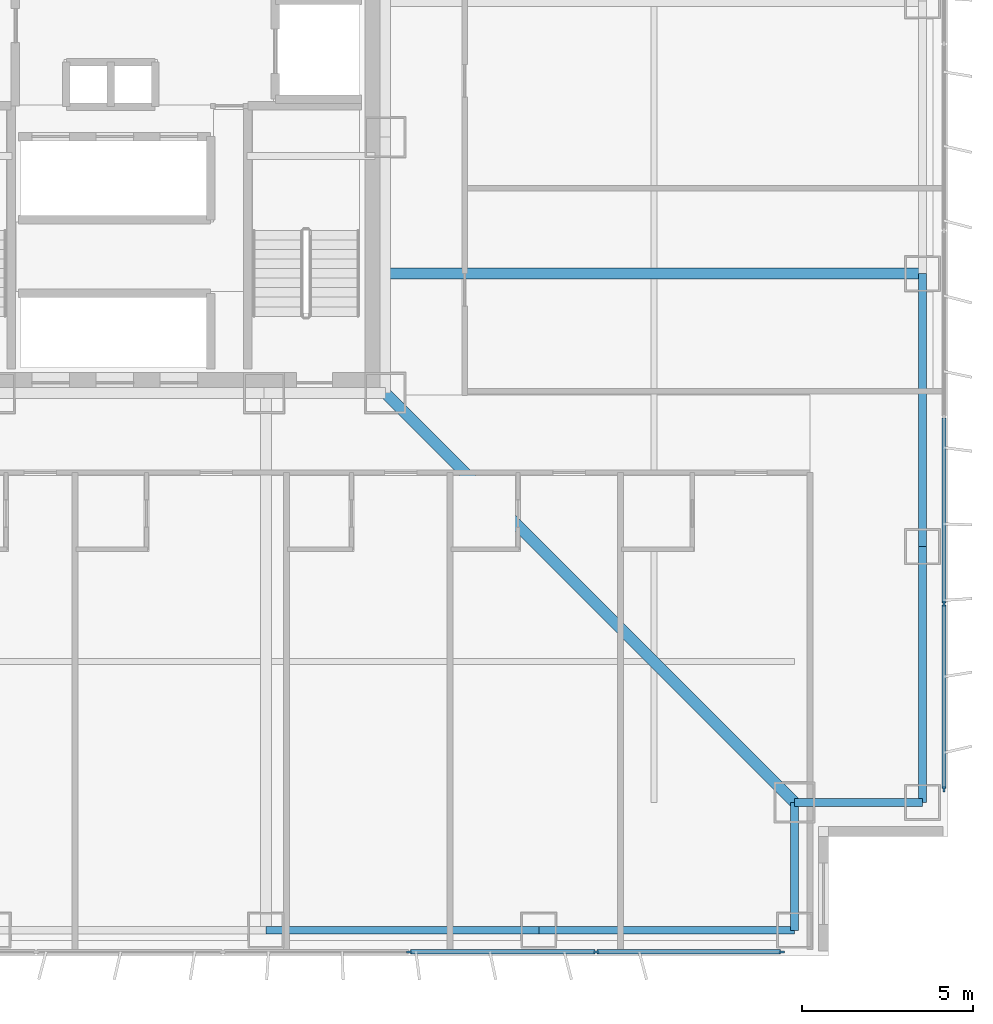
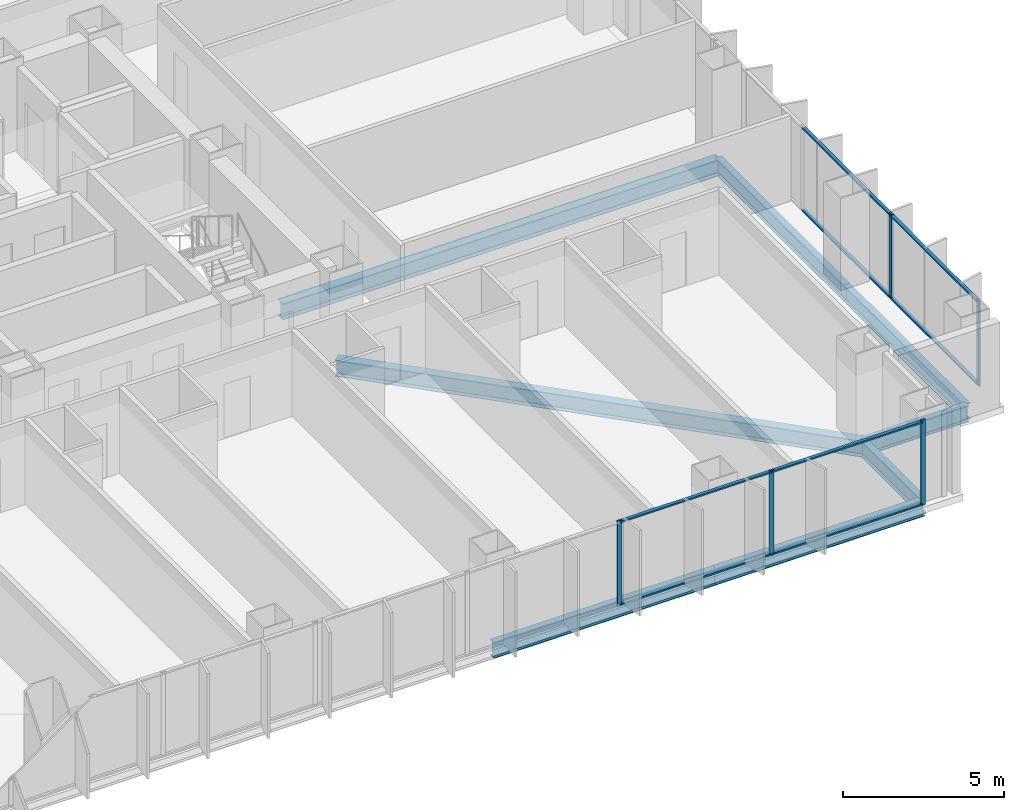
# One storey, part 6 of 19: 13 members, 8 beams, 2 elements without a shape of their own.
"""IFC4 building model written with IfcOpenShell, lengths in metres."""

from ifc_helpers import new_model, si_unit, direction, frame, origin, origin_2d, place, context, subcontext, project, spatial, rectangle, i_section, extrude, material, layer, layer_set, material_profile, profile_set, type_object, element, aggregate, save


model = new_model("IFC4")

# Units and contexts
model_context = context("Model", 3, precision=1e-05, world=origin(), true_north=direction((0.0, 1.0)))
body_context = subcontext(model_context, "Body", "Model", "MODEL_VIEW")
ifc_project = project(units=[si_unit("LENGTHUNIT", "METRE"), si_unit("AREAUNIT", "SQUARE_METRE"), si_unit("VOLUMEUNIT", "CUBIC_METRE"), si_unit("PLANEANGLEUNIT", "RADIAN"), si_unit("MASSUNIT", "GRAM", prefix="KILO")], contexts=[model_context])

# Site, building, storey
site_placement = place(None, origin())
site = spatial("IfcSite", under=ifc_project, at=site_placement, CompositionType="ELEMENT")
building_placement = place(site_placement, origin())
building = spatial("IfcBuilding", under=site, at=building_placement, Name="Trevonay Congress Spire", CompositionType="ELEMENT")
storey_placement = place(building_placement, frame((0.0, 0.0, 58.5)))
storey = spatial("IfcBuildingStorey", under=building, at=storey_placement, Name="L14", CompositionType="ELEMENT", Elevation=58.5)

# Beams
ifc_material_1 = material(Name="Steel ASTM A572 Grade 50", Category="steel")
ifc_material_profile_1 = material_profile(ifc_material_1, i_section(OverallWidth=0.324951171875, OverallDepth=0.615966796875, WebThickness=0.013916015625, FlangeThickness=0.021484375, FilletRadius=0.01806640625, at=origin_2d()), Name="W610x174")
ifc_profile_set_1 = profile_set([ifc_material_profile_1], Name="Steel ASTM A572 Grade 50")
beam_type_1 = type_object("IfcBeamType", Name="BM-GIRD-W610X174", PredefinedType="BEAM", material=ifc_profile_set_1)
beam_1_placement = place(storey_placement, frame((7.5, -7.5, -0.55810546875), z_axis=(0.707106781187, -0.707106781187, 0.0), x_axis=(0.707106781187, 0.707106781187, 0.0)))
element("IfcBeam", 1, at=beam_1_placement, inside=storey, type_object=beam_type_1, Name="L14 structural beam BM-L14-CDSE", PredefinedType="BEAM", context=body_context, shape_type="SweptSolid", body=[
    extrude(i_section(OverallWidth=0.324951171875, OverallDepth=0.615966796875, WebThickness=0.013916015625, FlangeThickness=0.021484375, FilletRadius=0.01806640625, at=origin_2d()), origin(), (0.0, 0.0, 1.0), 16.970458984375),
])
beam_2_placement = place(storey_placement, frame((7.5, -4.0, -0.55810546875), z_axis=(1.0, 0.0, 0.0), x_axis=(0.0, 1.0, 0.0)))
element("IfcBeam", 2, at=beam_2_placement, inside=storey, type_object=beam_type_1, Name="L14 structural beam BM-L14-GE-M", PredefinedType="BEAM", context=body_context, shape_type="SweptSolid", body=[
    extrude(i_section(OverallWidth=0.324951171875, OverallDepth=0.615966796875, WebThickness=0.013916015625, FlangeThickness=0.021484375, FilletRadius=0.01806640625, at=origin_2d()), origin(), (0.0, 0.0, 1.0), 15.75),
])
ifc_material_profile_2 = material_profile(ifc_material_1, i_section(OverallWidth=0.22998046875, OverallDepth=0.616943359375, WebThickness=0.01318359375, FlangeThickness=0.022216796875, FilletRadius=0.01611328125, at=origin_2d()), Name="W610x140")
ifc_profile_set_2 = profile_set([ifc_material_profile_2], Name="Steel ASTM A572 Grade 50")
beam_type_2 = type_object("IfcBeamType", Name="BM-RING-W610X140", PredefinedType="BEAM", material=ifc_profile_set_2)
beam_3_placement = place(storey_placement, frame((23.25, -19.5, -0.55859375), z_axis=(0.0, 1.0, 0.0), x_axis=(-1.0, 0.0, 0.0)))
element("IfcBeam", 3, at=beam_3_placement, inside=storey, type_object=beam_type_2, Name="L14 structural beam BM-L14-PE1", PredefinedType="BEAM", context=body_context, shape_type="SweptSolid", body=[
    extrude(i_section(OverallWidth=0.22998046875, OverallDepth=0.616943359375, WebThickness=0.01318359375, FlangeThickness=0.022216796875, FilletRadius=0.01611328125, at=origin_2d()), origin(), (0.0, 0.0, 1.0), 7.5),
])
for number, where, z_axis, x_axis, name in (
    (4, (23.25, -12.0, -0.55859375), (0.0, 1.0, 0.0), (-1.0, 0.0, 0.0), "L14 structural beam BM-L14-PE2"),
    (5, (4.0, -23.25, -0.55859375), (1.0, 0.0, 0.0), (0.0, 1.0, 0.0), "L14 structural beam BM-L14-PS4"),
):
    element("IfcBeam", number, at=place(storey_placement, frame(where, z_axis=z_axis, x_axis=x_axis)), inside=storey, type_object=beam_type_2, Name=name, PredefinedType="BEAM", context=body_context, shape_type="SweptSolid", body=[
        extrude(i_section(OverallWidth=0.22998046875, OverallDepth=0.616943359375, WebThickness=0.01318359375, FlangeThickness=0.022216796875, FilletRadius=0.01611328125, at=origin_2d()), origin(), (0.0, 0.0, 1.0), 8.0),
    ])
beam_4_placement = place(storey_placement, frame((12.0, -23.25, -0.55859375), z_axis=(1.0, 0.0, 0.0), x_axis=(0.0, 1.0, 0.0)))
element("IfcBeam", 6, at=beam_4_placement, inside=storey, type_object=beam_type_2, Name="L14 structural beam BM-L14-PS5", PredefinedType="BEAM", context=body_context, shape_type="SweptSolid", body=[
    extrude(i_section(OverallWidth=0.22998046875, OverallDepth=0.616943359375, WebThickness=0.01318359375, FlangeThickness=0.022216796875, FilletRadius=0.01611328125, at=origin_2d()), origin(), (0.0, 0.0, 1.0), 7.5),
])
for number, where, z_axis, x_axis, name in (
    (7, (19.5, -23.25, -0.55859375), (0.0, 1.0, 0.0), (-1.0, 0.0, 0.0), "L14 structural beam BM-L14-N1SE"),
    (8, (23.25, -19.5, -0.55859375), (-1.0, 0.0, 0.0), (0.0, -1.0, 0.0), "L14 structural beam BM-L14-N2SE"),
):
    element("IfcBeam", number, at=place(storey_placement, frame(where, z_axis=z_axis, x_axis=x_axis)), inside=storey, type_object=beam_type_2, Name=name, PredefinedType="BEAM", context=body_context, shape_type="SweptSolid", body=[
        extrude(i_section(OverallWidth=0.22998046875, OverallDepth=0.616943359375, WebThickness=0.01318359375, FlangeThickness=0.022216796875, FilletRadius=0.01611328125, at=origin_2d()), origin(), (0.0, 0.0, 1.0), 3.75),
    ])

# Curtain wall, members
ifc_material_2 = material(Name="Pale Anodised Aluminium EN AW-6063-T6", Category="aluminium")
ifc_layer = layer(ifc_material_2, 0.179931640625, Name="Pale Anodised Aluminium EN AW-6063-T6")
ifc_layer_set = layer_set([ifc_layer], Name="Pale Anodised Aluminium EN AW-6063-T6")
curtain_wall_type = type_object("IfcCurtainWallType", Name="CW-SYS02-HOTEL-PALE-METAL", PredefinedType="NOTDEFINED", material=ifc_layer_set)
curtain_wall_1_placement = place(storey_placement, origin())
curtain_wall_1 = element("IfcCurtainWall", 9, at=curtain_wall_1_placement, inside=storey, type_object=curtain_wall_type, Name="L14 S unitised curtain wall", PredefinedType="NOTDEFINED")
ifc_material_profile_3 = material_profile(ifc_material_2, rectangle(XDim=0.06005859375, YDim=0.159912109375, at=origin_2d()), Name="CW-MULLION-160-ALUMINIUM")
ifc_profile_set_3 = profile_set([ifc_material_profile_3], Name="Pale Anodised Aluminium EN AW-6063-T6")
member_type_1 = type_object("IfcMemberType", Name="CW-MULLION-160-ALUMINIUM", PredefinedType="MULLION", material=ifc_profile_set_3)
member_1_placement = place(storey_placement, frame((8.20703125, -23.8798828125, 0.0), z_axis=(0.0, 0.0, 1.0), x_axis=(0.0, 1.0, 0.0)))
member_1 = element("IfcMember", 10, at=member_1_placement, type_object=member_type_1, Name="CW02 mullion 6", PredefinedType="MULLION", context=body_context, shape_type="SweptSolid", body=[
    extrude(rectangle(XDim=0.06005859375, YDim=0.159912109375, at=origin_2d()), origin(), (0.0, 0.0, 1.0), 3.25),
])
member_2_placement = place(storey_placement, frame((13.678466796875, -23.8798828125, 0.0), z_axis=(0.0, 0.0, 1.0), x_axis=(0.0, 1.0, 0.0)))
member_2 = element("IfcMember", 11, at=member_2_placement, type_object=member_type_1, Name="CW02 mullion 7", PredefinedType="MULLION", context=body_context, shape_type="SweptSolid", body=[
    extrude(rectangle(XDim=0.06005859375, YDim=0.159912109375, at=origin_2d()), origin(), (0.0, 0.0, 1.0), 3.25),
])
member_3_placement = place(storey_placement, frame((19.1201171875, -23.8798828125, 0.0), z_axis=(0.0, 0.0, 1.0), x_axis=(0.0, 1.0, 0.0)))
member_3 = element("IfcMember", 12, at=member_3_placement, type_object=member_type_1, Name="CW02 mullion 8", PredefinedType="MULLION", context=body_context, shape_type="SweptSolid", body=[
    extrude(rectangle(XDim=0.06005859375, YDim=0.159912109375, at=origin_2d()), origin(), (0.0, 0.0, 1.0), 3.25),
])

curtain_wall_2_placement = place(storey_placement, origin())
curtain_wall_2 = element("IfcCurtainWall", 13, at=curtain_wall_2_placement, inside=storey, type_object=curtain_wall_type, Name="L14 E unitised curtain wall", PredefinedType="NOTDEFINED")
member_4_placement = place(storey_placement, frame((23.8798828125, -19.1201171875, 0.0), z_axis=(0.0, 0.0, 1.0), x_axis=(-1.0, 0.0, 0.0)))
member_4 = element("IfcMember", 14, at=member_4_placement, type_object=member_type_1, Name="CW02 mullion 1", PredefinedType="MULLION", context=body_context, shape_type="SweptSolid", body=[
    extrude(rectangle(XDim=0.06005859375, YDim=0.159912109375, at=origin_2d()), origin(), (0.0, 0.0, 1.0), 3.25),
])
member_5_placement = place(storey_placement, frame((23.8798828125, -13.678466796875, 0.0), z_axis=(0.0, 0.0, 1.0), x_axis=(-1.0, 0.0, 0.0)))
member_5 = element("IfcMember", 15, at=member_5_placement, type_object=member_type_1, Name="CW02 mullion 2", PredefinedType="MULLION", context=body_context, shape_type="SweptSolid", body=[
    extrude(rectangle(XDim=0.06005859375, YDim=0.159912109375, at=origin_2d()), origin(), (0.0, 0.0, 1.0), 3.25),
])

# Member
ifc_material_profile_4 = material_profile(ifc_material_2, rectangle(XDim=0.1201171875, YDim=0.06005859375, at=origin_2d()), Name="CW-TRANSOM-120-ALUMINIUM")
ifc_profile_set_4 = profile_set([ifc_material_profile_4], Name="Pale Anodised Aluminium EN AW-6063-T6")
member_type_2 = type_object("IfcMemberType", Name="CW-TRANSOM-120-ALUMINIUM", PredefinedType="USERDEFINED", material=ifc_profile_set_4)
member_6_placement = place(storey_placement, frame((8.237060546875, -23.8798828125, 0.06005859375), z_axis=(1.0, 0.0, 0.0), x_axis=(0.0, 1.0, 0.0)))
member_6 = element("IfcMember", 16, at=member_6_placement, type_object=member_type_2, Name="CW02 transom 6.1", ObjectType="TRANSOM", PredefinedType="USERDEFINED", context=body_context, shape_type="SweptSolid", body=[
    extrude(rectangle(XDim=0.1201171875, YDim=0.06005859375, at=origin_2d()), origin(), (0.0, 0.0, 1.0), 5.41162109375),
])

member_7_placement = place(storey_placement, frame((8.237060546875, -23.8798828125, 3.18994140625), z_axis=(1.0, 0.0, 0.0), x_axis=(0.0, 1.0, 0.0)))
member_7 = element("IfcMember", 17, at=member_7_placement, type_object=member_type_2, Name="CW02 transom 6.2", ObjectType="TRANSOM", PredefinedType="USERDEFINED", context=body_context, shape_type="SweptSolid", body=[
    extrude(rectangle(XDim=0.1201171875, YDim=0.06005859375, at=origin_2d()), origin(), (0.0, 0.0, 1.0), 5.41162109375),
])

member_8_placement = place(storey_placement, frame((13.70849609375, -23.8798828125, 0.06005859375), z_axis=(1.0, 0.0, 0.0), x_axis=(0.0, 1.0, 0.0)))
member_8 = element("IfcMember", 18, at=member_8_placement, type_object=member_type_2, Name="CW02 transom 7.1", ObjectType="TRANSOM", PredefinedType="USERDEFINED", context=body_context, shape_type="SweptSolid", body=[
    extrude(rectangle(XDim=0.1201171875, YDim=0.06005859375, at=origin_2d()), origin(), (0.0, 0.0, 1.0), 5.381591796875),
])

member_9_placement = place(storey_placement, frame((13.70849609375, -23.8798828125, 3.18994140625), z_axis=(1.0, 0.0, 0.0), x_axis=(0.0, 1.0, 0.0)))
member_9 = element("IfcMember", 19, at=member_9_placement, type_object=member_type_2, Name="CW02 transom 7.2", ObjectType="TRANSOM", PredefinedType="USERDEFINED", context=body_context, shape_type="SweptSolid", body=[
    extrude(rectangle(XDim=0.1201171875, YDim=0.06005859375, at=origin_2d()), origin(), (0.0, 0.0, 1.0), 5.381591796875),
])

aggregate(curtain_wall_1, [member_1, member_2, member_3, member_6, member_7, member_8, member_9])

member_10_placement = place(storey_placement, frame((23.8798828125, -19.090087890625, 0.06005859375), z_axis=(0.0, 1.0, 0.0), x_axis=(-1.0, 0.0, 0.0)))
member_10 = element("IfcMember", 20, at=member_10_placement, type_object=member_type_2, Name="CW02 transom 1.1", ObjectType="TRANSOM", PredefinedType="USERDEFINED", context=body_context, shape_type="SweptSolid", body=[
    extrude(rectangle(XDim=0.1201171875, YDim=0.06005859375, at=origin_2d()), origin(), (0.0, 0.0, 1.0), 5.381591796875),
])

member_11_placement = place(storey_placement, frame((23.8798828125, -19.090087890625, 3.18994140625), z_axis=(0.0, 1.0, 0.0), x_axis=(-1.0, 0.0, 0.0)))
member_11 = element("IfcMember", 21, at=member_11_placement, type_object=member_type_2, Name="CW02 transom 1.2", ObjectType="TRANSOM", PredefinedType="USERDEFINED", context=body_context, shape_type="SweptSolid", body=[
    extrude(rectangle(XDim=0.1201171875, YDim=0.06005859375, at=origin_2d()), origin(), (0.0, 0.0, 1.0), 5.381591796875),
])

member_12_placement = place(storey_placement, frame((23.8798828125, -13.648681640625, 0.06005859375), z_axis=(0.0, 1.0, 0.0), x_axis=(-1.0, 0.0, 0.0)))
member_12 = element("IfcMember", 22, at=member_12_placement, type_object=member_type_2, Name="CW02 transom 2.1", ObjectType="TRANSOM", PredefinedType="USERDEFINED", context=body_context, shape_type="SweptSolid", body=[
    extrude(rectangle(XDim=0.1201171875, YDim=0.06005859375, at=origin_2d()), origin(), (0.0, 0.0, 1.0), 5.41162109375),
])

member_13_placement = place(storey_placement, frame((23.8798828125, -13.648681640625, 3.18994140625), z_axis=(0.0, 1.0, 0.0), x_axis=(-1.0, 0.0, 0.0)))
member_13 = element("IfcMember", 23, at=member_13_placement, type_object=member_type_2, Name="CW02 transom 2.2", ObjectType="TRANSOM", PredefinedType="USERDEFINED", context=body_context, shape_type="SweptSolid", body=[
    extrude(rectangle(XDim=0.1201171875, YDim=0.06005859375, at=origin_2d()), origin(), (0.0, 0.0, 1.0), 5.41162109375),
])

aggregate(curtain_wall_2, [member_4, member_5, member_10, member_11, member_12, member_13])

save(model, "model.ifc")
